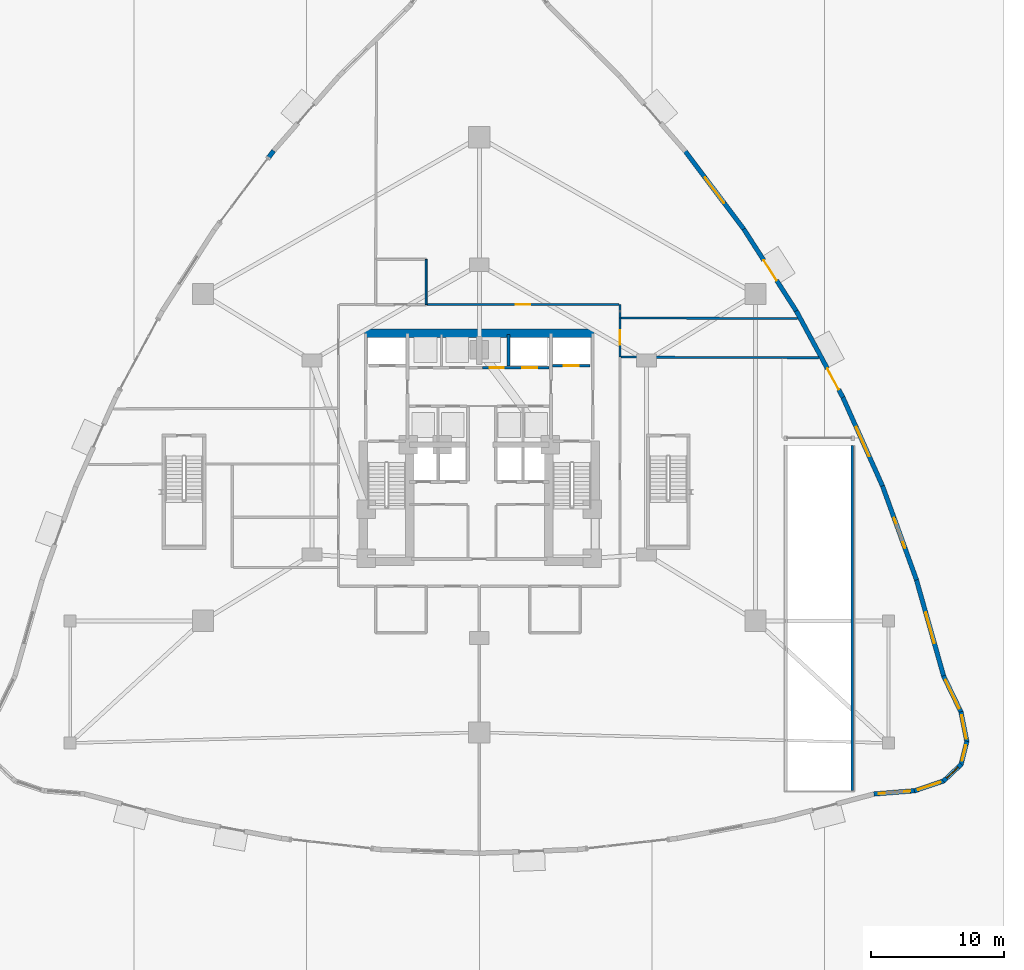
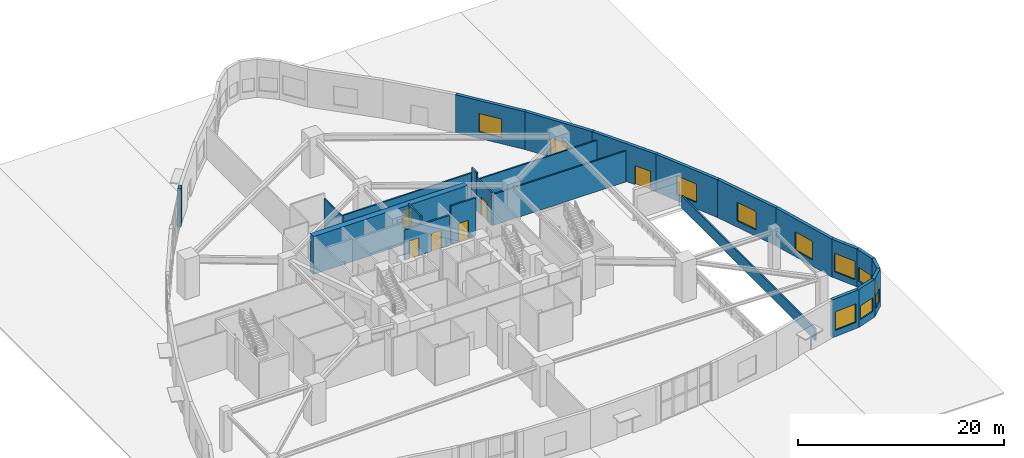
# One storey, part 25 of 32: 24 walls, 10 windows, 7 doors, 17 openings.
"""IFC4 building model written with IfcOpenShell, lengths in metres."""

from ifc_helpers import new_model, si_unit, direction, frame, frame_2d, origin, place, context, subcontext, project, spatial, rectangle, extrude, material, layer, layer_set, type_object, element, fill, save


model = new_model("IFC4")

# Units and contexts
model_context = context("Model", 3, precision=1e-05, world=origin(), true_north=direction((0.0, 1.0)))
body_context = subcontext(model_context, "Body", "Model", "MODEL_VIEW")
ifc_project = project(units=[si_unit("LENGTHUNIT", "METRE"), si_unit("AREAUNIT", "SQUARE_METRE"), si_unit("VOLUMEUNIT", "CUBIC_METRE"), si_unit("PLANEANGLEUNIT", "RADIAN"), si_unit("MASSUNIT", "GRAM", prefix="KILO")], contexts=[model_context])

# Site, building, storey
site_placement = place(None, origin())
site = spatial("IfcSite", under=ifc_project, at=site_placement, CompositionType="ELEMENT")
building_placement = place(site_placement, origin())
building = spatial("IfcBuilding", under=site, at=building_placement, Name="Miruveldt Soraemaru", CompositionType="ELEMENT")
storey_placement = place(building_placement, origin())
storey = spatial("IfcBuildingStorey", under=building, at=storey_placement, Name="L01", CompositionType="ELEMENT", Elevation=0.0)

# Walls
ifc_material_1 = material(Name="Concrete C50/60 (50 MPa)", Category="concrete")
ifc_layer_1 = layer(ifc_material_1, 0.419921875, Name="Concrete C50/60 (50 MPa)", Category="concrete")
ifc_layer_set_1 = layer_set([ifc_layer_1], Name="Concrete C50/60 (50 MPa)")
wall_type_1 = type_object("IfcWallType", Name="WALL-CW-420", PredefinedType="SHEAR", material=ifc_layer_set_1)
wall_1_placement = place(storey_placement, frame((72.080078125, 18.02001953125, 0.0), z_axis=(0.0, 0.0, 1.0), x_axis=(0.0, 1.0, 0.0)))
element("IfcWall", 1, at=wall_1_placement, inside=storey, type_object=wall_type_1, Name="L01 Car Park Ramp Shaft Structural Side Wall E", PredefinedType="SHEAR", context=body_context, shape_type="SweptSolid", body=[
    extrude(rectangle(XDim=25.9599609375, YDim=0.159912109375, at=frame_2d((12.97998046875, 0.0))), origin(), (0.0, 0.0, 1.0), 1.449951171875),
])
ifc_material_2 = material(Name="Concrete C80/95 (80 MPa)", Category="concrete")
ifc_layer_2 = layer(ifc_material_2, 0.64990234375, Name="Concrete C80/95 (80 MPa)", Category="concrete")
ifc_layer_set_2 = layer_set([ifc_layer_2], Name="Concrete C80/95 (80 MPa)")
wall_type_2 = type_object("IfcWallType", Name="WALL-CW-650", PredefinedType="SHEAR", material=ifc_layer_set_2)
wall_2_placement = place(storey_placement, frame((35.35009765625, 52.449951171875, 0.0), z_axis=(0.0, 0.0, 1.0), x_axis=(1.0, 0.0, 0.0)))
element("IfcWall", 2, at=wall_2_placement, inside=storey, type_object=wall_type_2, Name="L01 Central Core Shear Wall N", PredefinedType="SHEAR", context=body_context, shape_type="SweptSolid", body=[
    extrude(rectangle(XDim=17.2998046875, YDim=0.64990234375, at=frame_2d((8.64990234375, 0.0))), origin(), (0.0, 0.0, 1.0), 4.5),
])
ifc_material_3 = material(Name="Precast concrete C45/55 (45 MPa)", Category="concrete")
ifc_layer_3 = layer(ifc_material_3, 0.340087890625, Name="Precast concrete C45/55 (45 MPa)", Category="concrete")
ifc_layer_set_3 = layer_set([ifc_layer_3], Name="Precast concrete C45/55 (45 MPa)")
wall_type_3 = type_object("IfcWallType", Name="WALL-EXT-PC340", PredefinedType="SOLIDWALL", material=ifc_layer_set_3)
wall_3_placement = place(storey_placement, frame((28.52392578125, 66.18701171875, 0.0), z_axis=(0.0, 0.0, 1.0), x_axis=(-0.600664888718, -0.799500901477, 0.0)))
element("IfcWall", 3, at=wall_3_placement, inside=storey, type_object=wall_type_3, Name="L01 Precast Pier Left 9", PredefinedType="SOLIDWALL", context=body_context, shape_type="SweptSolid", body=[
    extrude(rectangle(XDim=0.704833984375, YDim=0.340087890625, at=frame_2d((0.3525390625, 0.0))), origin(), (0.0, 0.0, 1.0), 4.5),
])

# Wall, opening, window
wall_4_placement = place(storey_placement, frame((73.700927734375, 17.76123046875, 0.0), z_axis=(0.0, 0.0, 1.0), x_axis=(0.996749411033, 0.080564332095, 0.0)))
wall_4 = element("IfcWall", 4, at=wall_4_placement, inside=storey, type_object=wall_type_3, Name="L01 Precast Concrete Facade Wall 29", PredefinedType="SOLIDWALL", context=body_context, shape_type="SweptSolid", body=[
    extrude(rectangle(XDim=3.12744140625, YDim=0.340087890625, at=frame_2d((1.563720703125, 0.0))), origin(), (0.0, 0.0, 1.0), 4.5),
])
opening_1_placement = place(wall_4_placement, frame((0.364013671875, 0.0, 0.75)))
opening_1 = element("IfcOpeningElement", 5, at=opening_1_placement, cuts=wall_4, Name="Opening WN-5", PredefinedType="OPENING", context=body_context, shape_type="SweptSolid", body=[
    extrude(rectangle(XDim=2.39990234375, YDim=2.199951171875, at=frame_2d((1.199951171875, 1.10009765625))), frame((0.0, 0.18017578125, 0.0), z_axis=(0.0, -1.0, 0.0), x_axis=(1.0, 0.0, 0.0)), (0.0, 0.0, 1.0), 0.360107421875),
])
ifc_material_4 = material(Name="Triple low-e insulated glazing", Category="glass")
window_type_1 = type_object("IfcWindowType", Name="WIN-PODM-2400x2200", PartitioningType="SINGLE_PANEL", PredefinedType="WINDOW", material=ifc_material_4)
window_1_placement = place(opening_1_placement, origin())
window_1 = element("IfcWindow", 6, at=window_1_placement, inside=storey, type_object=window_type_1, Name="L01 Punched Triple-Glazed Window 29.1", OverallHeight=2.199951171875, OverallWidth=2.39990234375, PartitioningType="SINGLE_PANEL", PredefinedType="WINDOW", context=body_context, shape_type="SweptSolid", body=[
    extrude(rectangle(XDim=2.39990234375, YDim=2.199951171875, at=frame_2d((1.199951171875, 1.10009765625))), frame((0.0, 0.030029296875, 0.0), z_axis=(0.0, -1.0, 0.0), x_axis=(1.0, 0.0, 0.0)), (0.0, 0.0, 1.0), 0.06005859375),
])
fill(opening_1, window_1)

wall_5_placement = place(storey_placement, frame((76.75, 17.9990234375, 0.0), z_axis=(0.0, 0.0, 1.0), x_axis=(0.946916521459, 0.321479550498, 0.0)))
wall_5 = element("IfcWall", 7, at=wall_5_placement, inside=storey, type_object=wall_type_3, Name="L01 Precast Concrete Facade Wall 30", PredefinedType="SOLIDWALL", context=body_context, shape_type="SweptSolid", body=[
    extrude(rectangle(XDim=2.36865234375, YDim=0.340087890625, at=frame_2d((1.184326171875, 0.0))), origin(), (0.0, 0.0, 1.0), 4.5),
])
opening_2_placement = place(wall_5_placement, frame((0.284912109375, 0.0, 0.800048828125)))
opening_2 = element("IfcOpeningElement", 8, at=opening_2_placement, cuts=wall_5, Name="Opening WN-2", PredefinedType="OPENING", context=body_context, shape_type="SweptSolid", body=[
    extrude(rectangle(XDim=1.800048828125, YDim=1.64990234375, at=frame_2d((0.89990234375, 0.824951171875))), frame((0.0, 0.18017578125, 0.0), z_axis=(0.0, -1.0, 0.0), x_axis=(1.0, 0.0, 0.0)), (0.0, 0.0, 1.0), 0.360107421875),
])
window_type_2 = type_object("IfcWindowType", Name="WIN-PUNCH-1800x1650", PartitioningType="SINGLE_PANEL", PredefinedType="WINDOW", material=ifc_material_4)
window_2_placement = place(opening_2_placement, origin())
window_2 = element("IfcWindow", 9, at=window_2_placement, inside=storey, type_object=window_type_2, Name="L01 Punched Triple-Glazed Window 30.1", OverallHeight=1.64990234375, OverallWidth=1.800048828125, PartitioningType="SINGLE_PANEL", PredefinedType="WINDOW", context=body_context, shape_type="SweptSolid", body=[
    extrude(rectangle(XDim=1.800048828125, YDim=1.64990234375, at=frame_2d((0.89990234375, 0.824951171875))), frame((0.0, 0.030029296875, 0.0), z_axis=(0.0, -1.0, 0.0), x_axis=(1.0, 0.0, 0.0)), (0.0, 0.0, 1.0), 0.06005859375),
])
fill(opening_2, window_2)

wall_6_placement = place(storey_placement, frame((78.93408203125, 18.72509765625, 0.0), z_axis=(0.0, 0.0, 1.0), x_axis=(0.72754647658, 0.686058397235, 0.0)))
wall_6 = element("IfcWall", 10, at=wall_6_placement, inside=storey, type_object=wall_type_3, Name="L01 Precast Concrete Facade Wall 31", PredefinedType="SOLIDWALL", context=body_context, shape_type="SweptSolid", body=[
    extrude(rectangle(XDim=1.865478515625, YDim=0.340087890625, at=frame_2d((0.9326171875, 0.0))), origin(), (0.0, 0.0, 1.0), 4.5),
])
opening_3_placement = place(wall_6_placement, frame((0.3330078125, 0.0, 0.780029296875)))
opening_3 = element("IfcOpeningElement", 11, at=opening_3_placement, cuts=wall_6, Name="Opening WN-4", PredefinedType="OPENING", context=body_context, shape_type="SweptSolid", body=[
    extrude(rectangle(XDim=1.199951171875, YDim=1.550048828125, at=frame_2d((0.60009765625, 0.77490234375))), frame((0.0, 0.18017578125, 0.0), z_axis=(0.0, -1.0, 0.0), x_axis=(1.0, 0.0, 0.0)), (0.0, 0.0, 1.0), 0.360107421875),
])
window_type_3 = type_object("IfcWindowType", Name="WIN-PUNCH-1200x1550", PartitioningType="SINGLE_PANEL", PredefinedType="WINDOW", material=ifc_material_4)
window_3_placement = place(opening_3_placement, origin())
window_3 = element("IfcWindow", 12, at=window_3_placement, inside=storey, type_object=window_type_3, Name="L01 Punched Triple-Glazed Window 31.1", OverallHeight=1.550048828125, OverallWidth=1.199951171875, PartitioningType="SINGLE_PANEL", PredefinedType="WINDOW", context=body_context, shape_type="SweptSolid", body=[
    extrude(rectangle(XDim=1.199951171875, YDim=1.550048828125, at=frame_2d((0.60009765625, 0.77490234375))), frame((0.0, 0.030029296875, 0.0), z_axis=(0.0, -1.0, 0.0), x_axis=(1.0, 0.0, 0.0)), (0.0, 0.0, 1.0), 0.06005859375),
])
fill(opening_3, window_3)

wall_7_placement = place(storey_placement, frame((80.257080078125, 19.947021484375, 0.0), z_axis=(0.0, 0.0, 1.0), x_axis=(0.244928374408, 0.969541175717, 0.0)))
wall_7 = element("IfcWall", 13, at=wall_7_placement, inside=storey, type_object=wall_type_3, Name="L01 Precast Concrete Facade Wall 32", PredefinedType="SOLIDWALL", context=body_context, shape_type="SweptSolid", body=[
    extrude(rectangle(XDim=1.84814453125, YDim=0.340087890625, at=frame_2d((0.924072265625, 0.0))), origin(), (0.0, 0.0, 1.0), 4.5),
])
opening_4_placement = place(wall_7_placement, frame((0.323974609375, 0.0, 0.780029296875)))
opening_4 = element("IfcOpeningElement", 14, at=opening_4_placement, cuts=wall_7, Name="Opening WN-4", PredefinedType="OPENING", context=body_context, shape_type="SweptSolid", body=[
    extrude(rectangle(XDim=1.199951171875, YDim=1.550048828125, at=frame_2d((0.60009765625, 0.77490234375))), frame((0.0, 0.18017578125, 0.0), z_axis=(0.0, -1.0, 0.0), x_axis=(1.0, 0.0, 0.0)), (0.0, 0.0, 1.0), 0.360107421875),
])
window_4_placement = place(opening_4_placement, origin())
window_4 = element("IfcWindow", 15, at=window_4_placement, inside=storey, type_object=window_type_3, Name="L01 Punched Triple-Glazed Window 32.1", OverallHeight=1.550048828125, OverallWidth=1.199951171875, PartitioningType="SINGLE_PANEL", PredefinedType="WINDOW", context=body_context, shape_type="SweptSolid", body=[
    extrude(rectangle(XDim=1.199951171875, YDim=1.550048828125, at=frame_2d((0.60009765625, 0.77490234375))), frame((0.0, 0.030029296875, 0.0), z_axis=(0.0, -1.0, 0.0), x_axis=(1.0, 0.0, 0.0)), (0.0, 0.0, 1.0), 0.06005859375),
])
fill(opening_4, window_4)

wall_8_placement = place(storey_placement, frame((80.707763671875, 21.670654296875, 0.0), z_axis=(0.0, 0.0, 1.0), x_axis=(-0.192667803312, 0.981264040698, 0.0)))
wall_8 = element("IfcWall", 16, at=wall_8_placement, inside=storey, type_object=wall_type_3, Name="L01 Precast Concrete Facade Wall 33", PredefinedType="SOLIDWALL", context=body_context, shape_type="SweptSolid", body=[
    extrude(rectangle(XDim=2.3291015625, YDim=0.340087890625, at=frame_2d((1.16455078125, 0.0))), origin(), (0.0, 0.0, 1.0), 4.5),
])
opening_5_placement = place(wall_8_placement, frame((0.264892578125, 0.0, 0.800048828125)))
opening_5 = element("IfcOpeningElement", 17, at=opening_5_placement, cuts=wall_8, Name="Opening WN-2", PredefinedType="OPENING", context=body_context, shape_type="SweptSolid", body=[
    extrude(rectangle(XDim=1.800048828125, YDim=1.64990234375, at=frame_2d((0.89990234375, 0.824951171875))), frame((0.0, 0.18017578125, 0.0), z_axis=(0.0, -1.0, 0.0), x_axis=(1.0, 0.0, 0.0)), (0.0, 0.0, 1.0), 0.360107421875),
])
window_5_placement = place(opening_5_placement, origin())
window_5 = element("IfcWindow", 18, at=window_5_placement, inside=storey, type_object=window_type_2, Name="L01 Punched Triple-Glazed Window 33.1", OverallHeight=1.64990234375, OverallWidth=1.800048828125, PartitioningType="SINGLE_PANEL", PredefinedType="WINDOW", context=body_context, shape_type="SweptSolid", body=[
    extrude(rectangle(XDim=1.800048828125, YDim=1.64990234375, at=frame_2d((0.89990234375, 0.824951171875))), frame((0.0, 0.030029296875, 0.0), z_axis=(0.0, -1.0, 0.0), x_axis=(1.0, 0.0, 0.0)), (0.0, 0.0, 1.0), 0.06005859375),
])
fill(opening_5, window_5)

wall_9_placement = place(storey_placement, frame((80.281005859375, 23.89013671875, 0.0), z_axis=(0.0, 0.0, 1.0), x_axis=(-0.434221029613, 0.90080635957, 0.0)))
wall_9 = element("IfcWall", 19, at=wall_9_placement, inside=storey, type_object=wall_type_3, Name="L01 Precast Concrete Facade Wall 34", PredefinedType="SOLIDWALL", context=body_context, shape_type="SweptSolid", body=[
    extrude(rectangle(XDim=3.07763671875, YDim=0.340087890625, at=frame_2d((1.538818359375, 0.0))), origin(), (0.0, 0.0, 1.0), 4.5),
])
opening_6_placement = place(wall_9_placement, frame((0.339111328125, 0.0, 0.75)))
opening_6 = element("IfcOpeningElement", 20, at=opening_6_placement, cuts=wall_9, Name="Opening WN-5", PredefinedType="OPENING", context=body_context, shape_type="SweptSolid", body=[
    extrude(rectangle(XDim=2.39990234375, YDim=2.199951171875, at=frame_2d((1.199951171875, 1.10009765625))), frame((0.0, 0.18017578125, 0.0), z_axis=(0.0, -1.0, 0.0), x_axis=(1.0, 0.0, 0.0)), (0.0, 0.0, 1.0), 0.360107421875),
])
window_6_placement = place(opening_6_placement, origin())
window_6 = element("IfcWindow", 21, at=window_6_placement, inside=storey, type_object=window_type_1, Name="L01 Punched Triple-Glazed Window 34.1", OverallHeight=2.199951171875, OverallWidth=2.39990234375, PartitioningType="SINGLE_PANEL", PredefinedType="WINDOW", context=body_context, shape_type="SweptSolid", body=[
    extrude(rectangle(XDim=2.39990234375, YDim=2.199951171875, at=frame_2d((1.199951171875, 1.10009765625))), frame((0.0, 0.030029296875, 0.0), z_axis=(0.0, -1.0, 0.0), x_axis=(1.0, 0.0, 0.0)), (0.0, 0.0, 1.0), 0.06005859375),
])
fill(opening_6, window_6)

wall_10_placement = place(storey_placement, frame((78.96923828125, 26.597412109375, 0.0), z_axis=(0.0, 0.0, 1.0), x_axis=(-0.272200784087, 0.962240475735, 0.0)))
wall_10 = element("IfcWall", 22, at=wall_10_placement, inside=storey, type_object=wall_type_3, Name="L01 Precast Concrete Facade Wall 35", PredefinedType="SOLIDWALL", context=body_context, shape_type="SweptSolid", body=[
    extrude(rectangle(XDim=7.640869140625, YDim=0.340087890625, at=frame_2d((3.8203125, 0.0))), origin(), (0.0, 0.0, 1.0), 4.5),
])
opening_7_placement = place(wall_10_placement, frame((2.6201171875, 0.0, 0.75)))
opening_7 = element("IfcOpeningElement", 23, at=opening_7_placement, cuts=wall_10, Name="Opening WN-5", PredefinedType="OPENING", context=body_context, shape_type="SweptSolid", body=[
    extrude(rectangle(XDim=2.39990234375, YDim=2.199951171875, at=frame_2d((1.199951171875, 1.10009765625))), frame((0.0, 0.18017578125, 0.0), z_axis=(0.0, -1.0, 0.0), x_axis=(1.0, 0.0, 0.0)), (0.0, 0.0, 1.0), 0.360107421875),
])
window_7_placement = place(opening_7_placement, origin())
window_7 = element("IfcWindow", 24, at=window_7_placement, inside=storey, type_object=window_type_1, Name="L01 Punched Triple-Glazed Window 35.1", OverallHeight=2.199951171875, OverallWidth=2.39990234375, PartitioningType="SINGLE_PANEL", PredefinedType="WINDOW", context=body_context, shape_type="SweptSolid", body=[
    extrude(rectangle(XDim=2.39990234375, YDim=2.199951171875, at=frame_2d((1.199951171875, 1.10009765625))), frame((0.0, 0.030029296875, 0.0), z_axis=(0.0, -1.0, 0.0), x_axis=(1.0, 0.0, 0.0)), (0.0, 0.0, 1.0), 0.06005859375),
])
fill(opening_7, window_7)

wall_11_placement = place(storey_placement, frame((76.910888671875, 33.883056640625, 0.0), z_axis=(0.0, 0.0, 1.0), x_axis=(-0.340123865441, 0.940380644291, 0.0)))
wall_11 = element("IfcWall", 25, at=wall_11_placement, inside=storey, type_object=wall_type_3, Name="L01 Precast Concrete Facade Wall 36", PredefinedType="SOLIDWALL", context=body_context, shape_type="SweptSolid", body=[
    extrude(rectangle(XDim=7.520263671875, YDim=0.340087890625, at=frame_2d((3.76025390625, 0.0))), origin(), (0.0, 0.0, 1.0), 4.5),
])
opening_8_placement = place(wall_11_placement, frame((2.56005859375, 0.0, 0.75)))
opening_8 = element("IfcOpeningElement", 26, at=opening_8_placement, cuts=wall_11, Name="Opening WN-5", PredefinedType="OPENING", context=body_context, shape_type="SweptSolid", body=[
    extrude(rectangle(XDim=2.39990234375, YDim=2.199951171875, at=frame_2d((1.199951171875, 1.10009765625))), frame((0.0, 0.18017578125, 0.0), z_axis=(0.0, -1.0, 0.0), x_axis=(1.0, 0.0, 0.0)), (0.0, 0.0, 1.0), 0.360107421875),
])
window_8_placement = place(opening_8_placement, origin())
window_8 = element("IfcWindow", 27, at=window_8_placement, inside=storey, type_object=window_type_1, Name="L01 Punched Triple-Glazed Window 36.1", OverallHeight=2.199951171875, OverallWidth=2.39990234375, PartitioningType="SINGLE_PANEL", PredefinedType="WINDOW", context=body_context, shape_type="SweptSolid", body=[
    extrude(rectangle(XDim=2.39990234375, YDim=2.199951171875, at=frame_2d((1.199951171875, 1.10009765625))), frame((0.0, 0.030029296875, 0.0), z_axis=(0.0, -1.0, 0.0), x_axis=(1.0, 0.0, 0.0)), (0.0, 0.0, 1.0), 0.06005859375),
])
fill(opening_8, window_8)

wall_12_placement = place(storey_placement, frame((74.379150390625, 40.89013671875, 0.0), z_axis=(0.0, 0.0, 1.0), x_axis=(-0.408068113154, 0.912951485582, 0.0)))
wall_12 = element("IfcWall", 28, at=wall_12_placement, inside=storey, type_object=wall_type_3, Name="L01 Precast Concrete Facade Wall 37", PredefinedType="SOLIDWALL", context=body_context, shape_type="SweptSolid", body=[
    extrude(rectangle(XDim=7.43896484375, YDim=0.340087890625, at=frame_2d((3.719482421875, 0.0))), origin(), (0.0, 0.0, 1.0), 4.5),
])
opening_9_placement = place(wall_12_placement, frame((2.51904296875, 0.0, 0.75)))
opening_9 = element("IfcOpeningElement", 29, at=opening_9_placement, cuts=wall_12, Name="Opening WN-5", PredefinedType="OPENING", context=body_context, shape_type="SweptSolid", body=[
    extrude(rectangle(XDim=2.39990234375, YDim=2.199951171875, at=frame_2d((1.199951171875, 1.10009765625))), frame((0.0, 0.18017578125, 0.0), z_axis=(0.0, -1.0, 0.0), x_axis=(1.0, 0.0, 0.0)), (0.0, 0.0, 1.0), 0.360107421875),
])
window_9_placement = place(opening_9_placement, origin())
window_9 = element("IfcWindow", 30, at=window_9_placement, inside=storey, type_object=window_type_1, Name="L01 Punched Triple-Glazed Window 37.1", OverallHeight=2.199951171875, OverallWidth=2.39990234375, PartitioningType="SINGLE_PANEL", PredefinedType="WINDOW", context=body_context, shape_type="SweptSolid", body=[
    extrude(rectangle(XDim=2.39990234375, YDim=2.199951171875, at=frame_2d((1.199951171875, 1.10009765625))), frame((0.0, 0.030029296875, 0.0), z_axis=(0.0, -1.0, 0.0), x_axis=(1.0, 0.0, 0.0)), (0.0, 0.0, 1.0), 0.06005859375),
])
fill(opening_9, window_9)

# Wall, opening, door
wall_13_placement = place(storey_placement, frame((71.374267578125, 47.618896484375, 0.0), z_axis=(0.0, 0.0, 1.0), x_axis=(-0.474967489697, 0.880003343022, 0.0)))
wall_13 = element("IfcWall", 31, at=wall_13_placement, inside=storey, type_object=wall_type_3, Name="L01 Precast Concrete Facade Wall 38", PredefinedType="SOLIDWALL", context=body_context, shape_type="SweptSolid", body=[
    extrude(rectangle(XDim=7.397705078125, YDim=0.340087890625, at=frame_2d((3.69873046875, 0.0))), origin(), (0.0, 0.0, 1.0), 4.5),
])
opening_10_placement = place(wall_13_placement, frame((0.6640625, 0.0, 0.0)))
opening_10 = element("IfcOpeningElement", 32, at=opening_10_placement, cuts=wall_13, Name="Opening ED-1", PredefinedType="OPENING", context=body_context, shape_type="SweptSolid", body=[
    extrude(rectangle(XDim=1.800048828125, YDim=2.25, at=frame_2d((0.89990234375, 1.125))), frame((0.0, 0.18017578125, 0.0), z_axis=(0.0, -1.0, 0.0), x_axis=(1.0, 0.0, 0.0)), (0.0, 0.0, 1.0), 0.360107421875),
])
ifc_material_5 = material(Name="Anodised aluminium EN AW-6063 T6", Category="aluminium")
door_type_1 = type_object("IfcDoorType", Name="DOOR-EXT-1800", OperationType="DOUBLE_DOOR_SINGLE_SWING", PredefinedType="DOOR", material=ifc_material_5)
door_1_placement = place(opening_10_placement, frame((1.800048828125, 0.0, 0.0), z_axis=(0.0, 0.0, 1.0), x_axis=(-1.0, 0.0, 0.0)))
door_1 = element("IfcDoor", 33, at=door_1_placement, inside=storey, type_object=door_type_1, Name="L01 Pedestrian Final Exit Discharge Door 38", OperationType="DOUBLE_DOOR_SINGLE_SWING", OverallHeight=2.25, OverallWidth=1.800048828125, PredefinedType="DOOR", context=body_context, shape_type="SweptSolid", body=[
    extrude(rectangle(XDim=1.800048828125, YDim=2.25, at=frame_2d((0.89990234375, 1.125))), frame((0.0, 0.02490234375, 0.0), z_axis=(0.0, -1.0, 0.0), x_axis=(1.0, 0.0, 0.0)), (0.0, 0.0, 1.0), 0.050048828125),
])
fill(opening_10, door_1)

wall_14_placement = place(storey_placement, frame((67.896240234375, 54.068603515625, 0.0), z_axis=(0.0, 0.0, 1.0), x_axis=(-0.539522772187, 0.841971007987, 0.0)))
wall_14 = element("IfcWall", 34, at=wall_14_placement, inside=storey, type_object=wall_type_3, Name="L01 Precast Concrete Facade Wall 39", PredefinedType="SOLIDWALL", context=body_context, shape_type="SweptSolid", body=[
    extrude(rectangle(XDim=7.398193359375, YDim=0.340087890625, at=frame_2d((3.69921875, 0.0))), origin(), (0.0, 0.0, 1.0), 4.5),
])
opening_11_placement = place(wall_14_placement, frame((2.799072265625, 0.0, 0.0)))
opening_11 = element("IfcOpeningElement", 35, at=opening_11_placement, cuts=wall_14, Name="Opening ED-1", PredefinedType="OPENING", context=body_context, shape_type="SweptSolid", body=[
    extrude(rectangle(XDim=1.800048828125, YDim=2.25, at=frame_2d((0.89990234375, 1.125))), frame((0.0, 0.18017578125, 0.0), z_axis=(0.0, -1.0, 0.0), x_axis=(1.0, 0.0, 0.0)), (0.0, 0.0, 1.0), 0.360107421875),
])
door_2_placement = place(opening_11_placement, frame((1.800048828125, 0.0, 0.0), z_axis=(0.0, 0.0, 1.0), x_axis=(-1.0, 0.0, 0.0)))
door_2 = element("IfcDoor", 36, at=door_2_placement, inside=storey, type_object=door_type_1, Name="L01 Pedestrian Final Exit Discharge Door 39", OperationType="DOUBLE_DOOR_SINGLE_SWING", OverallHeight=2.25, OverallWidth=1.800048828125, PredefinedType="DOOR", context=body_context, shape_type="SweptSolid", body=[
    extrude(rectangle(XDim=1.800048828125, YDim=2.25, at=frame_2d((0.89990234375, 1.125))), frame((0.0, 0.02490234375, 0.0), z_axis=(0.0, -1.0, 0.0), x_axis=(1.0, 0.0, 0.0)), (0.0, 0.0, 1.0), 0.050048828125),
])
fill(opening_11, door_2)

# Wall, opening, window
wall_15_placement = place(storey_placement, frame((63.94482421875, 60.239990234375, 0.0), z_axis=(0.0, 0.0, 1.0), x_axis=(-0.600729657805, 0.799452236368, 0.0)))
wall_15 = element("IfcWall", 37, at=wall_15_placement, inside=storey, type_object=wall_type_3, Name="L01 Precast Concrete Facade Wall 40", PredefinedType="SOLIDWALL", context=body_context, shape_type="SweptSolid", body=[
    extrude(rectangle(XDim=7.43896484375, YDim=0.340087890625, at=frame_2d((3.719482421875, 0.0))), origin(), (0.0, 0.0, 1.0), 4.5),
])
opening_12_placement = place(wall_15_placement, frame((2.51904296875, 0.0, 0.75)))
opening_12 = element("IfcOpeningElement", 38, at=opening_12_placement, cuts=wall_15, Name="Opening WN-5", PredefinedType="OPENING", context=body_context, shape_type="SweptSolid", body=[
    extrude(rectangle(XDim=2.39990234375, YDim=2.199951171875, at=frame_2d((1.199951171875, 1.10009765625))), frame((0.0, 0.18017578125, 0.0), z_axis=(0.0, -1.0, 0.0), x_axis=(1.0, 0.0, 0.0)), (0.0, 0.0, 1.0), 0.360107421875),
])
window_10_placement = place(opening_12_placement, origin())
window_10 = element("IfcWindow", 39, at=window_10_placement, inside=storey, type_object=window_type_1, Name="L01 Punched Triple-Glazed Window 40.1", OverallHeight=2.199951171875, OverallWidth=2.39990234375, PartitioningType="SINGLE_PANEL", PredefinedType="WINDOW", context=body_context, shape_type="SweptSolid", body=[
    extrude(rectangle(XDim=2.39990234375, YDim=2.199951171875, at=frame_2d((1.199951171875, 1.10009765625))), frame((0.0, 0.030029296875, 0.0), z_axis=(0.0, -1.0, 0.0), x_axis=(1.0, 0.0, 0.0)), (0.0, 0.0, 1.0), 0.06005859375),
])
fill(opening_12, window_10)

# Wall
ifc_material_6 = material(Name="Gypsum plasterboard lining", Category="gypsum")
ifc_layer_4 = layer(ifc_material_6, 0.14990234375, Name="Gypsum plasterboard lining", Category="gypsum")
ifc_layer_set_4 = layer_set([ifc_layer_4], Name="Gypsum plasterboard lining")
wall_type_4 = type_object("IfcWallType", Name="WALL-INT-PLUMB", PredefinedType="PLUMBINGWALL", material=ifc_layer_set_4)
wall_16_placement = place(storey_placement, frame((40.0, 54.60009765625, 0.0), z_axis=(0.0, 0.0, 1.0), x_axis=(0.0, 1.0, 0.0)))
element("IfcWall", 40, at=wall_16_placement, inside=storey, type_object=wall_type_4, Name="L01 Partition Wall 24", PredefinedType="PLUMBINGWALL", context=body_context, shape_type="SweptSolid", body=[
    extrude(rectangle(XDim=3.39990234375, YDim=0.14990234375, at=frame_2d((1.699951171875, 0.0))), origin(), (0.0, 0.0, 1.0), 3.89990234375),
])

# Wall, opening, door
ifc_material_7 = material(Name="Concrete C40/50 (40 MPa)", Category="concrete")
ifc_layer_5 = layer(ifc_material_7, 0.159912109375, Name="Concrete C40/50 (40 MPa)", Category="concrete")
ifc_layer_set_5 = layer_set([ifc_layer_5], Name="Concrete C40/50 (40 MPa)")
wall_type_5 = type_object("IfcWallType", Name="WALL-INT-RC160", PredefinedType="SOLIDWALL", material=ifc_layer_set_5)
wall_17_placement = place(storey_placement, frame((54.52001953125, 54.60009765625, 0.0), z_axis=(0.0, 0.0, 1.0), x_axis=(-1.0, 0.0, 0.0)))
wall_17 = element("IfcWall", 41, at=wall_17_placement, inside=storey, type_object=wall_type_5, Name="L01 Partition Wall 17", PredefinedType="SOLIDWALL", context=body_context, shape_type="SweptSolid", body=[
    extrude(rectangle(XDim=14.43994140625, YDim=0.159912109375, at=frame_2d((7.219970703125, 0.0))), origin(), (0.0, 0.0, 1.0), 3.89990234375),
])
opening_13_placement = place(wall_17_placement, frame((6.669921875, 0.0, 0.0)))
opening_13 = element("IfcOpeningElement", 42, at=opening_13_placement, cuts=wall_17, Name="Opening FD1A", PredefinedType="OPENING", context=body_context, shape_type="SweptSolid", body=[
    extrude(rectangle(XDim=1.10009765625, YDim=2.14990234375, at=frame_2d((0.550048828125, 1.074951171875))), frame((0.0, 0.08984375, 0.0), z_axis=(0.0, -1.0, 0.0), x_axis=(1.0, 0.0, 0.0)), (0.0, 0.0, 1.0), 0.179931640625),
])
door_type_2 = type_object("IfcDoorType", Name="DOOR-FD1-1100", OperationType="NOTDEFINED", PredefinedType="DOOR", material=ifc_material_5)
door_3_placement = place(opening_13_placement, origin())
door_3 = element("IfcDoor", 43, at=door_3_placement, inside=storey, type_object=door_type_2, Name="L01 Waterfront Retail Gallery East Entrance Door", OperationType="SINGLE_SWING_LEFT", OverallHeight=2.14990234375, OverallWidth=1.10009765625, PredefinedType="DOOR", context=body_context, shape_type="SweptSolid", body=[
    extrude(rectangle(XDim=1.10009765625, YDim=2.14990234375, at=frame_2d((0.550048828125, 1.074951171875))), frame((0.0, 0.02490234375, 0.0), z_axis=(0.0, -1.0, 0.0), x_axis=(1.0, 0.0, 0.0)), (0.0, 0.0, 1.0), 0.050048828125),
])
fill(opening_13, door_3)

wall_18_placement = place(storey_placement, frame((54.60009765625, 50.64990234375, 0.0), z_axis=(0.0, 0.0, 1.0), x_axis=(0.0, 1.0, 0.0)))
wall_18 = element("IfcWall", 44, at=wall_18_placement, inside=storey, type_object=wall_type_5, Name="L01 Partition Wall 2", PredefinedType="SOLIDWALL", context=body_context, shape_type="SweptSolid", body=[
    extrude(rectangle(XDim=2.9501953125, YDim=0.159912109375, at=frame_2d((1.47509765625, 0.0))), origin(), (0.0, 0.0, 1.0), 3.89990234375),
])
opening_14_placement = place(wall_18_placement, frame((0.925048828125, 0.0, 0.0)))
opening_14 = element("IfcOpeningElement", 45, at=opening_14_placement, cuts=wall_18, Name="Opening FD1A", PredefinedType="OPENING", context=body_context, shape_type="SweptSolid", body=[
    extrude(rectangle(XDim=1.10009765625, YDim=2.14990234375, at=frame_2d((0.550048828125, 1.074951171875))), frame((0.0, 0.08984375, 0.0), z_axis=(0.0, -1.0, 0.0), x_axis=(1.0, 0.0, 0.0)), (0.0, 0.0, 1.0), 0.179931640625),
])
door_4_placement = place(opening_14_placement, origin())
door_4 = element("IfcDoor", 46, at=door_4_placement, inside=storey, type_object=door_type_2, Name="L01 East Protected Exit Passageway Fire Door", OperationType="SINGLE_SWING_RIGHT", OverallHeight=2.14990234375, OverallWidth=1.10009765625, PredefinedType="DOOR", context=body_context, shape_type="SweptSolid", body=[
    extrude(rectangle(XDim=1.10009765625, YDim=2.14990234375, at=frame_2d((0.550048828125, 1.074951171875))), frame((0.0, 0.02490234375, 0.0), z_axis=(0.0, -1.0, 0.0), x_axis=(1.0, 0.0, 0.0)), (0.0, 0.0, 1.0), 0.050048828125),
])
fill(opening_14, door_4)

# Walls
wall_19_placement = place(storey_placement, frame((54.679931640625, 50.64990234375, 0.0), z_axis=(0.0, 0.0, 1.0), x_axis=(0.999994394778, -0.003348195518, 0.0)))
element("IfcWall", 47, at=wall_19_placement, inside=storey, type_object=wall_type_5, Name="L01 Partition Wall 21", PredefinedType="SOLIDWALL", context=body_context, shape_type="SweptSolid", body=[
    extrude(rectangle(XDim=14.875, YDim=0.159912109375, at=frame_2d((7.4375, 0.0))), origin(), (0.0, 0.0, 1.0), 3.68798828125),
])
wall_20_placement = place(storey_placement, frame((67.962890625, 53.550048828125, 0.0), z_axis=(0.0, 0.0, 1.0), x_axis=(-0.99999290155, 0.003767870767, 0.0)))
element("IfcWall", 48, at=wall_20_placement, inside=storey, type_object=wall_type_5, Name="L01 Partition Wall 22", PredefinedType="SOLIDWALL", context=body_context, shape_type="SweptSolid", body=[
    extrude(rectangle(XDim=13.282958984375, YDim=0.159912109375, at=frame_2d((6.6416015625, 0.0))), origin(), (0.0, 0.0, 1.0), 3.68798828125),
])
wall_21_placement = place(storey_placement, frame((54.60009765625, 53.60009765625, 0.0), z_axis=(0.0, 0.0, 1.0), x_axis=(0.0, 1.0, 0.0)))
element("IfcWall", 49, at=wall_21_placement, inside=storey, type_object=wall_type_5, Name="L01 Partition Wall 16", PredefinedType="SOLIDWALL", context=body_context, shape_type="SweptSolid", body=[
    extrude(rectangle(XDim=1.0, YDim=0.159912109375, at=frame_2d((0.5, 0.0))), origin(), (0.0, 0.0, 1.0), 4.5),
])

# Wall, openings, doors
ifc_layer_6 = layer(ifc_material_7, 0.199951171875, Name="Concrete C40/50 (40 MPa)", Category="concrete")
ifc_layer_set_6 = layer_set([ifc_layer_6], Name="Concrete C40/50 (40 MPa)")
wall_type_6 = type_object("IfcWallType", Name="WALL-INT-RC200", PredefinedType="SOLIDWALL", material=ifc_layer_set_6)
wall_22_placement = place(storey_placement, frame((44.25, 49.85009765625, 0.0), z_axis=(0.0, 0.0, 1.0), x_axis=(1.0, 0.0, 0.0)))
wall_22 = element("IfcWall", 50, at=wall_22_placement, inside=storey, type_object=wall_type_6, Name="L01 Core Compartment Wall ROWA-SE", PredefinedType="SOLIDWALL", context=body_context, shape_type="SweptSolid", body=[
    extrude(rectangle(XDim=5.0, YDim=0.199951171875, at=frame_2d((2.5, 0.0))), origin(), (0.0, 0.0, 1.0), 3.587890625),
])
opening_15_placement = place(wall_22_placement, frame((0.52490234375, 0.0, 0.0)))
opening_15 = element("IfcOpeningElement", 51, at=opening_15_placement, cuts=wall_22, Name="Opening LD1", PredefinedType="OPENING", context=body_context, shape_type="SweptSolid", body=[
    extrude(rectangle(XDim=1.050048828125, YDim=2.14990234375, at=frame_2d((0.52490234375, 1.074951171875))), frame((0.0, 0.10986328125, 0.0), z_axis=(0.0, -1.0, 0.0), x_axis=(1.0, 0.0, 0.0)), (0.0, 0.0, 1.0), 0.219970703125),
])
opening_16_placement = place(wall_22_placement, frame((3.0, 0.0, 0.0)))
opening_16 = element("IfcOpeningElement", 52, at=opening_16_placement, cuts=wall_22, Name="Opening LD2", PredefinedType="OPENING", context=body_context, shape_type="SweptSolid", body=[
    extrude(rectangle(XDim=1.10009765625, YDim=2.14990234375, at=frame_2d((0.550048828125, 1.074951171875))), frame((0.0, 0.10986328125, 0.0), z_axis=(0.0, -1.0, 0.0), x_axis=(1.0, 0.0, 0.0)), (0.0, 0.0, 1.0), 0.219970703125),
])
door_type_3 = type_object("IfcDoorType", Name="DOOR-LD1-1050", OperationType="SLIDING_TO_LEFT", PredefinedType="DOOR", material=ifc_material_5)
door_5_placement = place(opening_15_placement, origin())
door_5 = element("IfcDoor", 53, at=door_5_placement, inside=storey, type_object=door_type_3, Name="L01 PL-H3 Landing Door", OperationType="SLIDING_TO_LEFT", OverallHeight=2.14990234375, OverallWidth=1.050048828125, PredefinedType="DOOR", context=body_context, shape_type="SweptSolid", body=[
    extrude(rectangle(XDim=1.050048828125, YDim=2.14990234375, at=frame_2d((0.52490234375, 1.074951171875))), frame((0.0, 0.02490234375, 0.0), z_axis=(0.0, -1.0, 0.0), x_axis=(1.0, 0.0, 0.0)), (0.0, 0.0, 1.0), 0.050048828125),
])
fill(opening_15, door_5)
door_type_4 = type_object("IfcDoorType", Name="DOOR-LD2-1100", OperationType="SLIDING_TO_LEFT", PredefinedType="DOOR", material=ifc_material_5)
door_6_placement = place(opening_16_placement, origin())
door_6 = element("IfcDoor", 54, at=door_6_placement, inside=storey, type_object=door_type_4, Name="L01 SL-1 Landing Door", OperationType="SLIDING_TO_LEFT", OverallHeight=2.14990234375, OverallWidth=1.10009765625, PredefinedType="DOOR", context=body_context, shape_type="SweptSolid", body=[
    extrude(rectangle(XDim=1.10009765625, YDim=2.14990234375, at=frame_2d((0.550048828125, 1.074951171875))), frame((0.0, 0.02490234375, 0.0), z_axis=(0.0, -1.0, 0.0), x_axis=(1.0, 0.0, 0.0)), (0.0, 0.0, 1.0), 0.050048828125),
])
fill(opening_16, door_6)

# Wall, opening, door
wall_23_placement = place(storey_placement, frame((49.52001953125, 50.0, 0.0), z_axis=(0.0, 0.0, 1.0), x_axis=(1.0, 0.0, 0.0)))
wall_23 = element("IfcWall", 55, at=wall_23_placement, inside=storey, type_object=wall_type_6, Name="L01 Core Compartment Wall FFL2-S", PredefinedType="SOLIDWALL", context=body_context, shape_type="SweptSolid", body=[
    extrude(rectangle(XDim=2.800048828125, YDim=0.199951171875, at=frame_2d((1.39990234375, 0.0))), origin(), (0.0, 0.0, 1.0), 4.5),
])
opening_17_placement = place(wall_23_placement, frame((0.85009765625, 0.0, 0.0)))
opening_17 = element("IfcOpeningElement", 56, at=opening_17_placement, cuts=wall_23, Name="Opening LD2", PredefinedType="OPENING", context=body_context, shape_type="SweptSolid", body=[
    extrude(rectangle(XDim=1.10009765625, YDim=2.14990234375, at=frame_2d((0.550048828125, 1.074951171875))), frame((0.0, 0.10986328125, 0.0), z_axis=(0.0, -1.0, 0.0), x_axis=(1.0, 0.0, 0.0)), (0.0, 0.0, 1.0), 0.219970703125),
])
door_7_placement = place(opening_17_placement, origin())
door_7 = element("IfcDoor", 57, at=door_7_placement, inside=storey, type_object=door_type_4, Name="L01 FFL-2 Landing Door", OperationType="SLIDING_TO_LEFT", OverallHeight=2.14990234375, OverallWidth=1.10009765625, PredefinedType="DOOR", context=body_context, shape_type="SweptSolid", body=[
    extrude(rectangle(XDim=1.10009765625, YDim=2.14990234375, at=frame_2d((0.550048828125, 1.074951171875))), frame((0.0, 0.02490234375, 0.0), z_axis=(0.0, -1.0, 0.0), x_axis=(1.0, 0.0, 0.0)), (0.0, 0.0, 1.0), 0.050048828125),
])
fill(opening_17, door_7)

# Wall
wall_24_placement = place(storey_placement, frame((46.199951171875, 49.97998046875, 0.0), z_axis=(0.0, 0.0, 1.0), x_axis=(0.0, 1.0, 0.0)))
element("IfcWall", 58, at=wall_24_placement, inside=storey, type_object=wall_type_6, Name="L01 Core Compartment Wall PLH-SL-DIV", PredefinedType="SOLIDWALL", context=body_context, shape_type="SweptSolid", body=[
    extrude(rectangle(XDim=2.3701171875, YDim=0.199951171875, at=frame_2d((1.18505859375, 0.0))), origin(), (0.0, 0.0, 1.0), 4.5),
])

save(model, "model.ifc")
